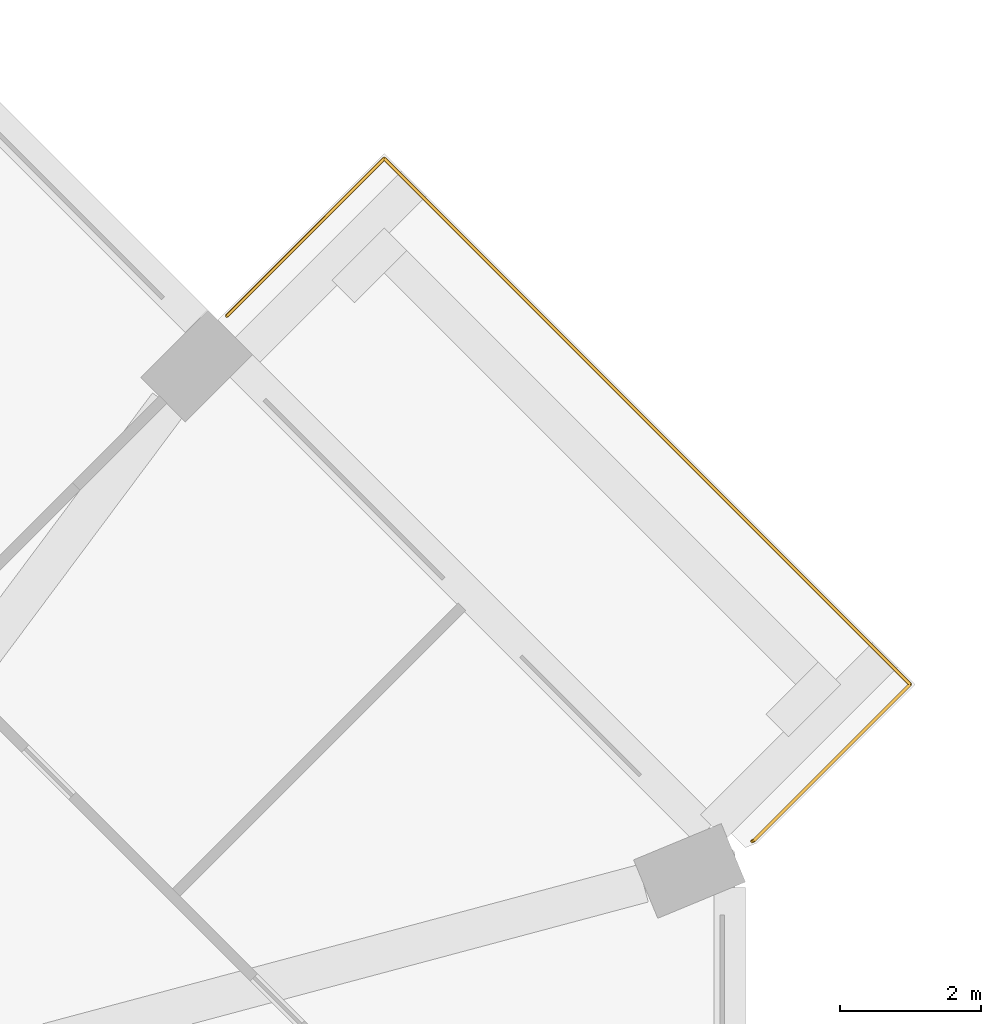
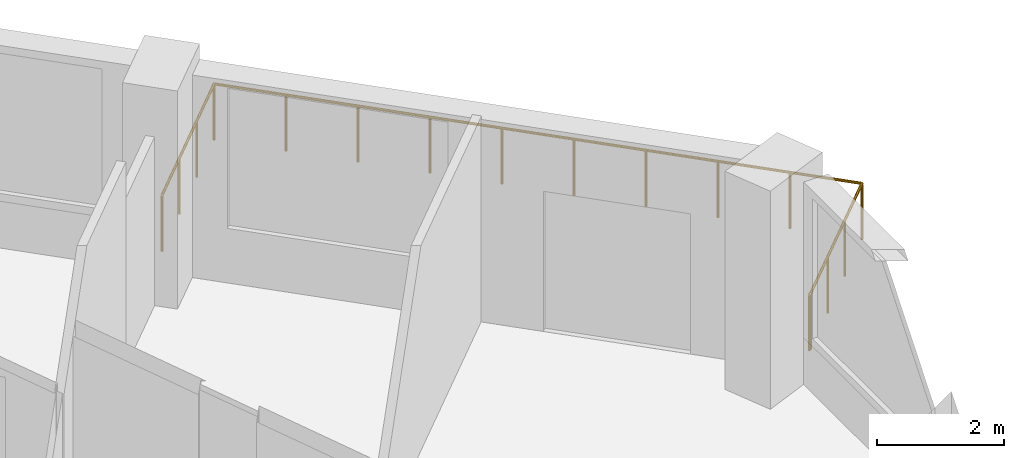
# One storey, part 13 of 13: 1 railing.
"""IFC4 building model written with IfcOpenShell, lengths in metres."""

from ifc_helpers import new_model, si_unit, direction, frame, origin, origin_2d, place, context, subcontext, project, spatial, circle, extrude, material, constituent, constituent_set, type_object, element, save


model = new_model("IFC4")

# Units and contexts
model_context = context("Model", 3, precision=1e-05, world=origin(), true_north=direction((0.0, 1.0)))
body_context = subcontext(model_context, "Body", "Model", "MODEL_VIEW")
ifc_project = project(units=[si_unit("LENGTHUNIT", "METRE"), si_unit("AREAUNIT", "SQUARE_METRE"), si_unit("VOLUMEUNIT", "CUBIC_METRE"), si_unit("PLANEANGLEUNIT", "RADIAN"), si_unit("MASSUNIT", "GRAM", prefix="KILO")], contexts=[model_context])

# Site, building, storey
site_placement = place(None, origin())
site = spatial("IfcSite", under=ifc_project, at=site_placement, CompositionType="ELEMENT")
building_placement = place(site_placement, origin())
building = spatial("IfcBuilding", under=site, at=building_placement, Name="Msitu Wima Residences", CompositionType="ELEMENT")
storey_placement = place(building_placement, frame((0.0, 0.0, 84.300048828125)))
storey = spatial("IfcBuildingStorey", under=building, at=storey_placement, Name="L19", CompositionType="ELEMENT", Elevation=84.300048828125)

# Railing
ifc_material_1 = material(Name="Steel S355", Category="steel")
ifc_constituent_1 = constituent(ifc_material_1, Name="Steel S355")
ifc_material_2 = material(Name="Weathering patina")
ifc_constituent_2 = constituent(ifc_material_2, Name="Weathering patina")
ifc_constituent_set = constituent_set(constituents=[ifc_constituent_1, ifc_constituent_2], Name="Steel S355")
railing_type = type_object("IfcRailingType", Name="Balcony guard GR1100", PredefinedType="GUARDRAIL", material=ifc_constituent_set)
railing_placement = place(storey_placement, frame((21.86865234375, 22.151611328125, 0.0)))
element("IfcRailing", 1, at=railing_placement, inside=storey, type_object=railing_type, Name="Balcony guard NE0 L19", PredefinedType="GUARDRAIL", context=body_context, shape_type="SweptSolid", body=[
    extrude(circle(Radius=0.02392578125, at=origin_2d()), frame((0.0, 0.0, 1.076171875), z_axis=(0.707145287287, 0.707068272989, 0.0), x_axis=(-0.707068272989, 0.707145287287, 0.0)), (0.0, 0.0, 1.0), 3.170166015625),
    extrude(circle(Radius=0.02392578125, at=origin_2d()), frame((2.24169921875, 2.241455078125, 1.076171875), z_axis=(0.70709524572, -0.707118316465, 0.0), x_axis=(0.707118316465, 0.70709524572, 0.0)), (0.0, 0.0, 1.0), 10.582275390625),
    extrude(circle(Radius=0.02392578125, at=origin_2d()), frame((9.724365234375, -5.241455078125, 1.076171875), z_axis=(-0.707106781187, -0.707106781187, 0.0), x_axis=(0.707106781187, -0.707106781187, 0.0)), (0.0, 0.0, 1.0), 3.136474609375),
    extrude(circle(Radius=0.02392578125, at=origin_2d()), frame((7.506591796875, -7.459228515625, 1.076171875), z_axis=(-0.923276184907, -0.384136806859, 0.0), x_axis=(0.384136806859, -0.923276184907, 0.0)), (0.0, 0.0, 1.0), 0.0361328125),
    extrude(circle(Radius=0.02099609375, at=origin_2d()), origin(), (0.0, 0.0, 1.0), 1.052001953125),
    extrude(circle(Radius=0.02099609375, at=origin_2d()), frame((0.747314453125, 0.7470703125, 0.0)), (0.0, 0.0, 1.0), 1.052001953125),
    extrude(circle(Radius=0.02099609375, at=origin_2d()), frame((1.494384765625, 1.494384765625, 0.0)), (0.0, 0.0, 1.0), 1.052001953125),
    extrude(circle(Radius=0.02099609375, at=origin_2d()), frame((2.24169921875, 2.241455078125, 0.0)), (0.0, 0.0, 1.0), 1.052001953125),
    extrude(circle(Radius=0.02099609375, at=origin_2d()), frame((3.072998046875, 1.409912109375, 0.0)), (0.0, 0.0, 1.0), 1.052001953125),
    extrude(circle(Radius=0.02099609375, at=origin_2d()), frame((3.904541015625, 0.57861328125, 0.0)), (0.0, 0.0, 1.0), 1.052001953125),
    extrude(circle(Radius=0.02099609375, at=origin_2d()), frame((4.73583984375, -0.2529296875, 0.0)), (0.0, 0.0, 1.0), 1.052001953125),
    extrude(circle(Radius=0.02099609375, at=origin_2d()), frame((5.5673828125, -1.084228515625, 0.0)), (0.0, 0.0, 1.0), 1.052001953125),
    extrude(circle(Radius=0.02099609375, at=origin_2d()), frame((6.398681640625, -1.915771484375, 0.0)), (0.0, 0.0, 1.0), 1.052001953125),
    extrude(circle(Radius=0.02099609375, at=origin_2d()), frame((7.230224609375, -2.7470703125, 0.0)), (0.0, 0.0, 1.0), 1.052001953125),
    extrude(circle(Radius=0.02099609375, at=origin_2d()), frame((8.0615234375, -3.57861328125, 0.0)), (0.0, 0.0, 1.0), 1.052001953125),
    extrude(circle(Radius=0.02099609375, at=origin_2d()), frame((8.89306640625, -4.409912109375, 0.0)), (0.0, 0.0, 1.0), 1.052001953125),
    extrude(circle(Radius=0.02099609375, at=origin_2d()), frame((9.724365234375, -5.241455078125, 0.0)), (0.0, 0.0, 1.0), 1.052001953125),
    extrude(circle(Radius=0.02099609375, at=origin_2d()), frame((8.985107421875, -5.980712890625, 0.0)), (0.0, 0.0, 1.0), 1.052001953125),
    extrude(circle(Radius=0.02099609375, at=origin_2d()), frame((8.245849609375, -6.719970703125, 0.0)), (0.0, 0.0, 1.0), 1.052001953125),
    extrude(circle(Radius=0.02099609375, at=origin_2d()), frame((7.506591796875, -7.459228515625, 0.0)), (0.0, 0.0, 1.0), 1.052001953125),
    extrude(circle(Radius=0.02099609375, at=origin_2d()), frame((7.47314453125, -7.47314453125, 0.0)), (0.0, 0.0, 1.0), 1.052001953125),
])

save(model, "model.ifc")
